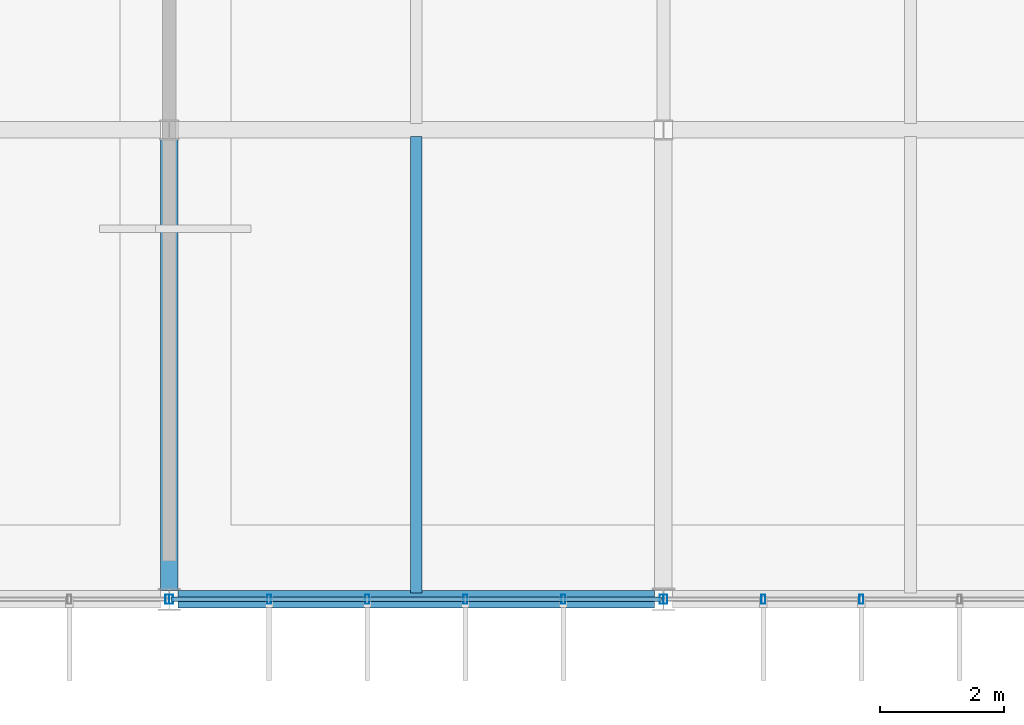
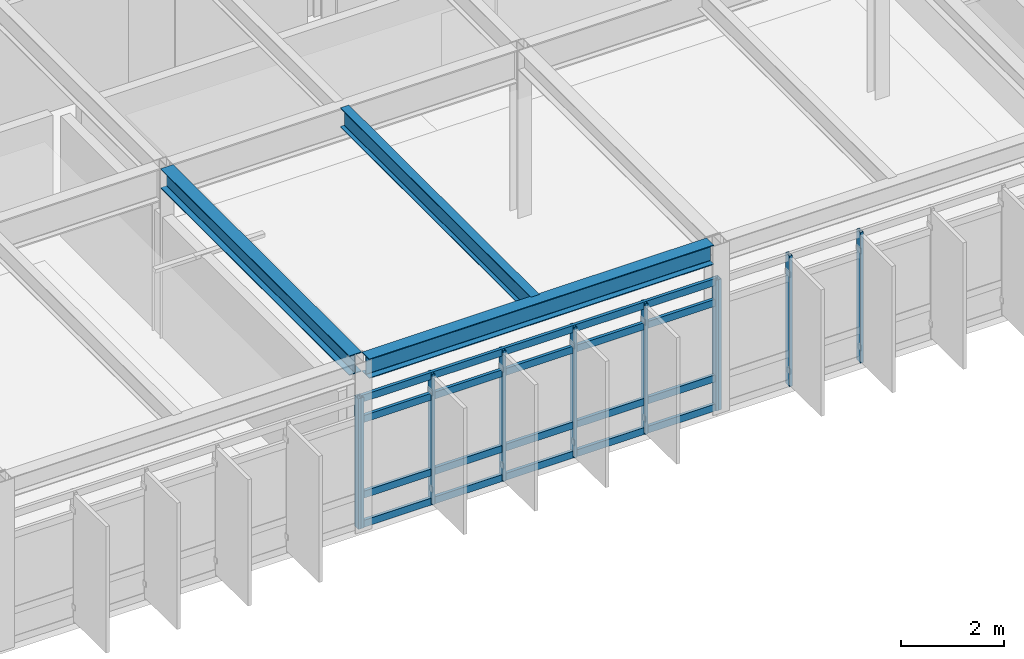
# One storey, part 11 of 33: 14 members, 3 beams, 3 elements without a shape of their own.
"""IFC4 building model written with IfcOpenShell, lengths in metres."""

from ifc_helpers import new_model, si_unit, direction, frame, origin, origin_2d, place, context, subcontext, project, spatial, hollow_rectangle, i_section, extrude, material, material_profile, profile_set, type_object, element, aggregate, save


model = new_model("IFC4")

# Units and contexts
model_context = context("Model", 3, precision=1e-05, world=origin(), true_north=direction((0.0, 1.0)))
body_context = subcontext(model_context, "Body", "Model", "MODEL_VIEW")
ifc_project = project(units=[si_unit("LENGTHUNIT", "METRE"), si_unit("AREAUNIT", "SQUARE_METRE"), si_unit("VOLUMEUNIT", "CUBIC_METRE"), si_unit("PLANEANGLEUNIT", "RADIAN"), si_unit("MASSUNIT", "GRAM", prefix="KILO")], contexts=[model_context])

# Site, building, storey
site_placement = place(None, origin())
site = spatial("IfcSite", under=ifc_project, at=site_placement, CompositionType="ELEMENT")
building_placement = place(site_placement, origin())
building = spatial("IfcBuilding", under=site, at=building_placement, Name="Zulena Civic Courthouse", CompositionType="ELEMENT")
storey_placement = place(building_placement, frame((0.0, 0.0, 33.60009765625)))
storey = spatial("IfcBuildingStorey", under=building, at=storey_placement, Name="L07", CompositionType="ELEMENT", Elevation=33.60009765625)

# Curtain wall, members
ifc_material_1 = material(Name="Double-silver low-E laminated solar-control glass", Category="glass")
curtain_wall_type = type_object("IfcCurtainWallType", Name="CW_7940x3090", PredefinedType="USERDEFINED", material=ifc_material_1)
curtain_wall_1_placement = place(storey_placement, origin())
curtain_wall_1 = element("IfcCurtainWall", 1, at=curtain_wall_1_placement, inside=storey, type_object=curtain_wall_type, Name="cw:V2:L07:3:3", ObjectType="UNITISED CURTAIN WALL", PredefinedType="USERDEFINED")
ifc_material_2 = material(Name="Bronze anodised thermally broken aluminium AA6063-T6", Category="aluminium")
ifc_material_profile_1 = material_profile(ifc_material_2, hollow_rectangle(XDim=0.06494140625, YDim=0.14990234375, WallThickness=0.00390625, at=origin_2d()), Name="CWM150X65X4")
ifc_profile_set_1 = profile_set([ifc_material_profile_1], Name="Bronze anodised thermally broken aluminium AA6063-T6")
member_type_1 = type_object("IfcMemberType", Name="CWMullion_150x65", PredefinedType="MULLION", material=ifc_profile_set_1)
member_1_placement = place(storey_placement, frame((39.2060546875, 0.0, 0.0), z_axis=(0.0, 0.0, 1.0), x_axis=(1.0, 0.0, 0.0)))
member_1 = element("IfcMember", 2, at=member_1_placement, type_object=member_type_1, Name="cw:V2:L07:3:3:mull:3", PredefinedType="MULLION", context=body_context, shape_type="SweptSolid", body=[
    extrude(hollow_rectangle(XDim=0.06494140625, YDim=0.14990234375, WallThickness=0.00390625, at=origin_2d()), origin(), (0.0, 0.0, 1.0), 3.08984375),
])
member_2_placement = place(storey_placement, frame((37.617919921875, 0.0, 0.0), z_axis=(0.0, 0.0, 1.0), x_axis=(1.0, 0.0, 0.0)))
member_2 = element("IfcMember", 3, at=member_2_placement, type_object=member_type_1, Name="cw:V2:L07:3:3:mull:4", PredefinedType="MULLION", context=body_context, shape_type="SweptSolid", body=[
    extrude(hollow_rectangle(XDim=0.06494140625, YDim=0.14990234375, WallThickness=0.00390625, at=origin_2d()), origin(), (0.0, 0.0, 1.0), 3.08984375),
])
member_3_placement = place(storey_placement, frame((36.030029296875, 0.0, 0.0), z_axis=(0.0, 0.0, 1.0), x_axis=(1.0, 0.0, 0.0)))
member_3 = element("IfcMember", 4, at=member_3_placement, type_object=member_type_1, Name="cw:V2:L07:3:3:mull:5", PredefinedType="MULLION", context=body_context, shape_type="SweptSolid", body=[
    extrude(hollow_rectangle(XDim=0.06494140625, YDim=0.14990234375, WallThickness=0.00390625, at=origin_2d()), origin(), (0.0, 0.0, 1.0), 3.08984375),
])
aggregate(curtain_wall_1, [member_1, member_2, member_3])

curtain_wall_2_placement = place(storey_placement, origin())
curtain_wall_2 = element("IfcCurtainWall", 5, at=curtain_wall_2_placement, inside=storey, type_object=curtain_wall_type, Name="cw:V2:L07:3:4", ObjectType="UNITISED CURTAIN WALL", PredefinedType="USERDEFINED")
member_4_placement = place(storey_placement, frame((35.969970703125, 0.0, 0.0), z_axis=(0.0, 0.0, 1.0), x_axis=(1.0, 0.0, 0.0)))
member_4 = element("IfcMember", 6, at=member_4_placement, type_object=member_type_1, Name="cw:V2:L07:3:4:mull:0", PredefinedType="MULLION", context=body_context, shape_type="SweptSolid", body=[
    extrude(hollow_rectangle(XDim=0.06494140625, YDim=0.14990234375, WallThickness=0.00390625, at=origin_2d()), origin(), (0.0, 0.0, 1.0), 3.08984375),
])
member_5_placement = place(storey_placement, frame((34.382080078125, 0.0, 0.0), z_axis=(0.0, 0.0, 1.0), x_axis=(1.0, 0.0, 0.0)))
member_5 = element("IfcMember", 7, at=member_5_placement, type_object=member_type_1, Name="cw:V2:L07:3:4:mull:1", PredefinedType="MULLION", context=body_context, shape_type="SweptSolid", body=[
    extrude(hollow_rectangle(XDim=0.06494140625, YDim=0.14990234375, WallThickness=0.00390625, at=origin_2d()), origin(), (0.0, 0.0, 1.0), 3.08984375),
])
member_6_placement = place(storey_placement, frame((32.7939453125, 0.0, 0.0), z_axis=(0.0, 0.0, 1.0), x_axis=(1.0, 0.0, 0.0)))
member_6 = element("IfcMember", 8, at=member_6_placement, type_object=member_type_1, Name="cw:V2:L07:3:4:mull:2", PredefinedType="MULLION", context=body_context, shape_type="SweptSolid", body=[
    extrude(hollow_rectangle(XDim=0.06494140625, YDim=0.14990234375, WallThickness=0.00390625, at=origin_2d()), origin(), (0.0, 0.0, 1.0), 3.08984375),
])
member_7_placement = place(storey_placement, frame((31.2060546875, 0.0, 0.0), z_axis=(0.0, 0.0, 1.0), x_axis=(1.0, 0.0, 0.0)))
member_7 = element("IfcMember", 9, at=member_7_placement, type_object=member_type_1, Name="cw:V2:L07:3:4:mull:3", PredefinedType="MULLION", context=body_context, shape_type="SweptSolid", body=[
    extrude(hollow_rectangle(XDim=0.06494140625, YDim=0.14990234375, WallThickness=0.00390625, at=origin_2d()), origin(), (0.0, 0.0, 1.0), 3.08984375),
])
member_8_placement = place(storey_placement, frame((29.617919921875, 0.0, 0.0), z_axis=(0.0, 0.0, 1.0), x_axis=(1.0, 0.0, 0.0)))
member_8 = element("IfcMember", 10, at=member_8_placement, type_object=member_type_1, Name="cw:V2:L07:3:4:mull:4", PredefinedType="MULLION", context=body_context, shape_type="SweptSolid", body=[
    extrude(hollow_rectangle(XDim=0.06494140625, YDim=0.14990234375, WallThickness=0.00390625, at=origin_2d()), origin(), (0.0, 0.0, 1.0), 3.08984375),
])
member_9_placement = place(storey_placement, frame((28.030029296875, 0.0, 0.0), z_axis=(0.0, 0.0, 1.0), x_axis=(1.0, 0.0, 0.0)))
member_9 = element("IfcMember", 11, at=member_9_placement, type_object=member_type_1, Name="cw:V2:L07:3:4:mull:5", PredefinedType="MULLION", context=body_context, shape_type="SweptSolid", body=[
    extrude(hollow_rectangle(XDim=0.06494140625, YDim=0.14990234375, WallThickness=0.00390625, at=origin_2d()), origin(), (0.0, 0.0, 1.0), 3.08984375),
])

# Curtain wall, member
curtain_wall_3_placement = place(storey_placement, origin())
curtain_wall_3 = element("IfcCurtainWall", 12, at=curtain_wall_3_placement, inside=storey, type_object=curtain_wall_type, Name="cw:V2:L07:3:5", ObjectType="UNITISED CURTAIN WALL", PredefinedType="USERDEFINED")
member_10_placement = place(storey_placement, frame((27.969970703125, 0.0, 0.0), z_axis=(0.0, 0.0, 1.0), x_axis=(1.0, 0.0, 0.0)))
member_10 = element("IfcMember", 13, at=member_10_placement, type_object=member_type_1, Name="cw:V2:L07:3:5:mull:0", PredefinedType="MULLION", context=body_context, shape_type="SweptSolid", body=[
    extrude(hollow_rectangle(XDim=0.06494140625, YDim=0.14990234375, WallThickness=0.00390625, at=origin_2d()), origin(), (0.0, 0.0, 1.0), 3.08984375),
])
aggregate(curtain_wall_3, [member_10])

# Member
ifc_material_profile_2 = material_profile(ifc_material_2, hollow_rectangle(XDim=0.070068359375, YDim=0.1650390625, WallThickness=0.00390625, at=origin_2d()), Name="CWT165X70X4")
ifc_profile_set_2 = profile_set([ifc_material_profile_2], Name="Bronze anodised thermally broken aluminium AA6063-T6")
member_type_2 = type_object("IfcMemberType", Name="CWTransom_165x70", PredefinedType="USERDEFINED", material=ifc_profile_set_2)
member_11_placement = place(storey_placement, frame((35.969970703125, 0.0, 0.059814453125), z_axis=(-1.0, 0.0, 0.0), x_axis=(0.0, -1.0, 0.0)))
member_11 = element("IfcMember", 14, at=member_11_placement, type_object=member_type_2, Name="cw:V2:L07:3:4:tran:0", ObjectType="TRANSOM", PredefinedType="USERDEFINED", context=body_context, shape_type="SweptSolid", body=[
    extrude(hollow_rectangle(XDim=0.070068359375, YDim=0.1650390625, WallThickness=0.00390625, at=origin_2d()), origin(), (0.0, 0.0, 1.0), 7.93994140625),
])

member_12_placement = place(storey_placement, frame((35.969970703125, 0.0, 0.75), z_axis=(-1.0, 0.0, 0.0), x_axis=(0.0, -1.0, 0.0)))
member_12 = element("IfcMember", 15, at=member_12_placement, type_object=member_type_2, Name="cw:V2:L07:3:4:tran:1", ObjectType="TRANSOM", PredefinedType="USERDEFINED", context=body_context, shape_type="SweptSolid", body=[
    extrude(hollow_rectangle(XDim=0.070068359375, YDim=0.1650390625, WallThickness=0.00390625, at=origin_2d()), origin(), (0.0, 0.0, 1.0), 7.93994140625),
])

member_13_placement = place(storey_placement, frame((35.969970703125, 0.0, 2.539794921875), z_axis=(-1.0, 0.0, 0.0), x_axis=(0.0, -1.0, 0.0)))
member_13 = element("IfcMember", 16, at=member_13_placement, type_object=member_type_2, Name="cw:V2:L07:3:4:tran:2", ObjectType="TRANSOM", PredefinedType="USERDEFINED", context=body_context, shape_type="SweptSolid", body=[
    extrude(hollow_rectangle(XDim=0.070068359375, YDim=0.1650390625, WallThickness=0.00390625, at=origin_2d()), origin(), (0.0, 0.0, 1.0), 7.93994140625),
])

member_14_placement = place(storey_placement, frame((35.969970703125, 0.0, 3.02978515625), z_axis=(-1.0, 0.0, 0.0), x_axis=(0.0, -1.0, 0.0)))
member_14 = element("IfcMember", 17, at=member_14_placement, type_object=member_type_2, Name="cw:V2:L07:3:4:tran:3", ObjectType="TRANSOM", PredefinedType="USERDEFINED", context=body_context, shape_type="SweptSolid", body=[
    extrude(hollow_rectangle(XDim=0.070068359375, YDim=0.1650390625, WallThickness=0.00390625, at=origin_2d()), origin(), (0.0, 0.0, 1.0), 7.93994140625),
])

aggregate(curtain_wall_2, [member_4, member_5, member_6, member_7, member_8, member_9, member_11, member_12, member_13, member_14])

# Beams
ifc_material_3 = material(Name="Steel ASTM A992 Grade 50", Category="steel")
ifc_material_profile_3 = material_profile(ifc_material_3, i_section(OverallWidth=0.19091796875, OverallDepth=0.4599609375, WebThickness=0.010009765625, FlangeThickness=0.01611328125, FilletRadius=0.01025390625, at=origin_2d()), Name="W18X55")
ifc_profile_set_3 = profile_set([ifc_material_profile_3], Name="Steel ASTM A992 Grade 50")
beam_type_1 = type_object("IfcBeamType", Name="Joist_W18X55", PredefinedType="JOIST", material=ifc_profile_set_3)
beam_1_placement = place(storey_placement, frame((32.0, 0.10498046875, 3.77001953125), z_axis=(0.0, 1.0, 0.0), x_axis=(-1.0, 0.0, 0.0)))
element("IfcBeam", 18, at=beam_1_placement, inside=storey, type_object=beam_type_1, Name="joist:V2:L07:32.00:0.0_7.6", PredefinedType="JOIST", context=body_context, shape_type="SweptSolid", body=[
    extrude(i_section(OverallWidth=0.19091796875, OverallDepth=0.4599609375, WebThickness=0.010009765625, FlangeThickness=0.01611328125, FilletRadius=0.01025390625, at=origin_2d()), origin(), (0.0, 0.0, 1.0), 7.39013671875),
])
ifc_material_profile_4 = material_profile(ifc_material_3, i_section(OverallWidth=0.280029296875, OverallDepth=0.462890625, WebThickness=0.0107421875, FlangeThickness=0.017333984375, FilletRadius=0.01025390625, at=origin_2d()), Name="W18X76")
ifc_profile_set_4 = profile_set([ifc_material_profile_4], Name="Steel ASTM A992 Grade 50")
beam_type_2 = type_object("IfcBeamType", Name="Spandrel_W18X76", PredefinedType="SPANDREL", material=ifc_profile_set_4)
beam_2_placement = place(storey_placement, frame((28.14501953125, 0.0, 3.768310546875), z_axis=(1.0, 0.0, 0.0), x_axis=(0.0, 1.0, 0.0)))
element("IfcBeam", 19, at=beam_2_placement, inside=storey, type_object=beam_type_2, Name="beam:X:V2:L07:0.0:28.0_36.0", PredefinedType="SPANDREL", context=body_context, shape_type="SweptSolid", body=[
    extrude(i_section(OverallWidth=0.280029296875, OverallDepth=0.462890625, WebThickness=0.0107421875, FlangeThickness=0.017333984375, FilletRadius=0.01025390625, at=origin_2d()), origin(), (0.0, 0.0, 1.0), 7.7099609375),
])
beam_3_placement = place(storey_placement, frame((28.0, 0.14501953125, 3.768310546875), z_axis=(0.0, 1.0, 0.0), x_axis=(-1.0, 0.0, 0.0)))
element("IfcBeam", 20, at=beam_3_placement, inside=storey, type_object=beam_type_2, Name="beam:Y:V2:L07:28.0:0.0_7.6", PredefinedType="SPANDREL", context=body_context, shape_type="SweptSolid", body=[
    extrude(i_section(OverallWidth=0.280029296875, OverallDepth=0.462890625, WebThickness=0.0107421875, FlangeThickness=0.017333984375, FilletRadius=0.01025390625, at=origin_2d()), origin(), (0.0, 0.0, 1.0), 7.31005859375),
])

save(model, "model.ifc")
